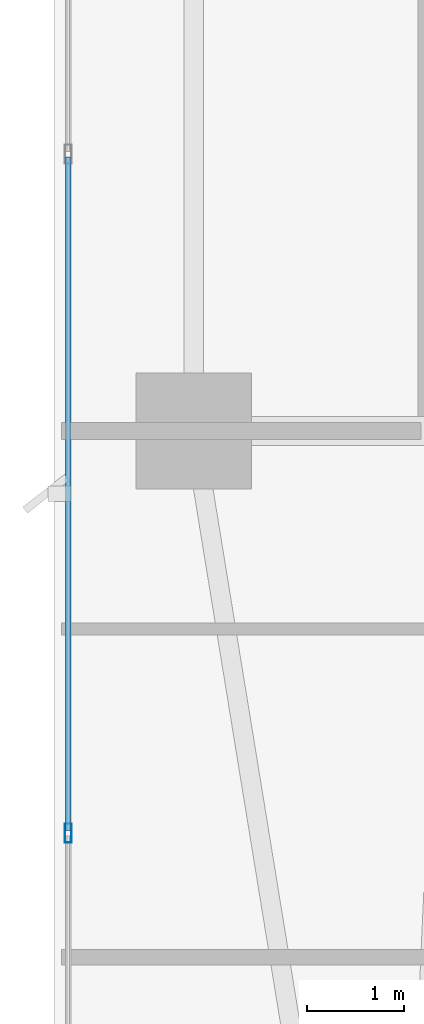
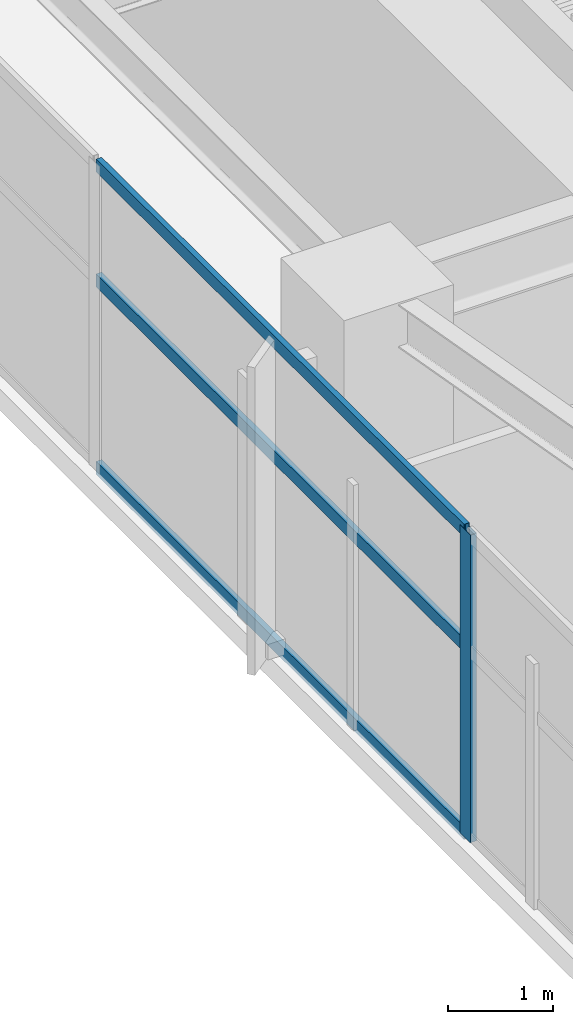
# One storey, part 4 of 29: 4 members, 1 element without a shape of its own.
"""IFC4 building model written with IfcOpenShell, lengths in metres."""

from ifc_helpers import new_model, si_unit, direction, frame, origin, origin_2d, place, context, subcontext, project, spatial, hollow_rectangle, extrude, material, layer, layer_set, material_profile, profile_set, type_object, element, aggregate, save


model = new_model("IFC4")

# Units and contexts
model_context = context("Model", 3, precision=1e-05, world=origin(), true_north=direction((0.0, 1.0)))
body_context = subcontext(model_context, "Body", "Model", "MODEL_VIEW")
ifc_project = project(units=[si_unit("LENGTHUNIT", "METRE"), si_unit("AREAUNIT", "SQUARE_METRE"), si_unit("VOLUMEUNIT", "CUBIC_METRE"), si_unit("PLANEANGLEUNIT", "RADIAN"), si_unit("MASSUNIT", "GRAM", prefix="KILO")], contexts=[model_context])

# Site, building, storey
site_placement = place(None, origin())
site = spatial("IfcSite", under=ifc_project, at=site_placement, CompositionType="ELEMENT")
building_placement = place(site_placement, origin())
building = spatial("IfcBuilding", under=site, at=building_placement, Name="Calvorn Quay Hotel", CompositionType="ELEMENT")
storey_placement = place(building_placement, frame((0.0, 0.0, 105.0)))
storey = spatial("IfcBuildingStorey", under=building, at=storey_placement, Name="L25", CompositionType="ELEMENT", Elevation=105.0)

# Curtain wall, members
ifc_material_1 = material(Name="Pale Anodised Aluminium and Low-E Glass", Category="aluminium")
ifc_layer = layer(ifc_material_1, 0.219970703125)
ifc_layer_set = layer_set([ifc_layer], Name="CW-SYS-Z2")
curtain_wall_type = type_object("IfcCurtainWallType", Name="CW-SYS-Z2", PredefinedType="NOTDEFINED", material=ifc_layer_set)
curtain_wall_placement = place(storey_placement, origin())
curtain_wall = element("IfcCurtainWall", 1, at=curtain_wall_placement, inside=storey, type_object=curtain_wall_type, Name="Tower West Curtain Wall (L25)", PredefinedType="NOTDEFINED")
ifc_material_2 = material(Name="Pale Anodised Aluminium 6063-T6", Category="aluminium")
ifc_material_profile_1 = material_profile(ifc_material_2, hollow_rectangle(XDim=0.070068359375, YDim=0.199951171875, WallThickness=0.00390625, at=origin_2d()), Name="ALU-M200x70x4")
ifc_profile_set_1 = profile_set([ifc_material_profile_1], Name="Pale Anodised Aluminium 6063-T6")
member_type_1 = type_object("IfcMemberType", Name="CW-SYS-Z2-MUL", PredefinedType="MULLION", material=ifc_profile_set_1)
member_1_placement = place(storey_placement, frame((0.14990234375, 12.63330078125, 0.0), z_axis=(0.0, 0.0, 1.0), x_axis=(-1.0, 0.0, 0.0)))
member_1 = element("IfcMember", 2, at=member_1_placement, type_object=member_type_1, Name="CW-L25-W mullion 2", PredefinedType="MULLION", context=body_context, shape_type="SweptSolid", body=[
    extrude(hollow_rectangle(XDim=0.070068359375, YDim=0.199951171875, WallThickness=0.00390625, at=origin_2d()), origin(), (0.0, 0.0, 1.0), 3.56005859375),
])
ifc_material_3 = material(Name="Pale Anodised Aluminium 6063-T6", Category="aluminium")
ifc_material_profile_2 = material_profile(ifc_material_3, hollow_rectangle(XDim=0.06005859375, YDim=0.14990234375, WallThickness=0.00341796875, at=origin_2d()), Name="ALU-T150x60x3.5")
ifc_profile_set_2 = profile_set([ifc_material_profile_2], Name="Pale Anodised Aluminium 6063-T6")
member_type_2 = type_object("IfcMemberType", Name="CW-SYS-Z2-TRN", PredefinedType="USERDEFINED", material=ifc_profile_set_2)
member_2_placement = place(storey_placement, frame((0.14990234375, 12.663330078125, 0.030029296875), z_axis=(0.0, 1.0, 0.0), x_axis=(-1.0, 0.0, 0.0)))
member_2 = element("IfcMember", 3, at=member_2_placement, type_object=member_type_2, Name="CW-L25-W transom 2.1", ObjectType="TRANSOM", PredefinedType="USERDEFINED", context=body_context, shape_type="SweptSolid", body=[
    extrude(hollow_rectangle(XDim=0.06005859375, YDim=0.14990234375, WallThickness=0.00341796875, at=origin_2d()), origin(), (0.0, 0.0, 1.0), 6.973388671875),
])
member_3_placement = place(storey_placement, frame((0.14990234375, 12.663330078125, 2.199951171875), z_axis=(0.0, 1.0, 0.0), x_axis=(-1.0, 0.0, 0.0)))
member_3 = element("IfcMember", 4, at=member_3_placement, type_object=member_type_2, Name="CW-L25-W transom 2.2", ObjectType="TRANSOM", PredefinedType="USERDEFINED", context=body_context, shape_type="SweptSolid", body=[
    extrude(hollow_rectangle(XDim=0.06005859375, YDim=0.14990234375, WallThickness=0.00341796875, at=origin_2d()), origin(), (0.0, 0.0, 1.0), 6.973388671875),
])
member_4_placement = place(storey_placement, frame((0.14990234375, 12.663330078125, 3.530029296875), z_axis=(0.0, 1.0, 0.0), x_axis=(-1.0, 0.0, 0.0)))
member_4 = element("IfcMember", 5, at=member_4_placement, type_object=member_type_2, Name="CW-L25-W transom 2.3", ObjectType="TRANSOM", PredefinedType="USERDEFINED", context=body_context, shape_type="SweptSolid", body=[
    extrude(hollow_rectangle(XDim=0.06005859375, YDim=0.14990234375, WallThickness=0.00341796875, at=origin_2d()), origin(), (0.0, 0.0, 1.0), 6.973388671875),
])
aggregate(curtain_wall, [member_1, member_2, member_3, member_4])

save(model, "model.ifc")
